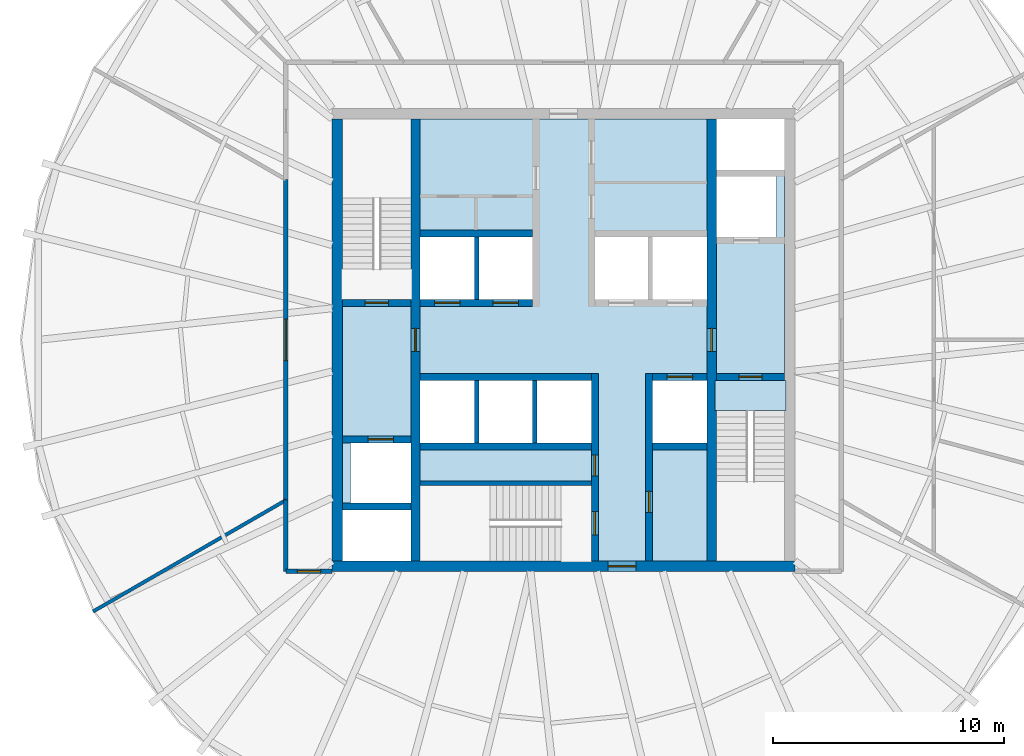
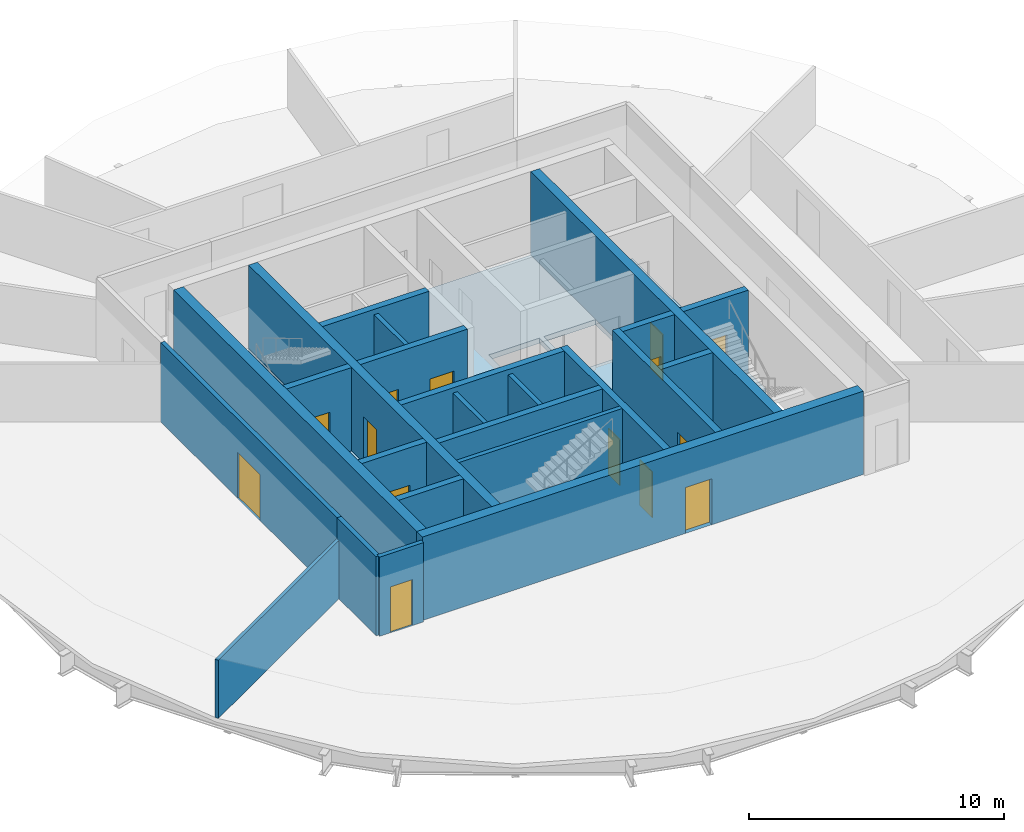
# One storey, part 3 of 6: 24 walls, 14 doors, 2 slabs, 14 openings.
"""IFC4 building model written with IfcOpenShell, lengths in metres."""

from ifc_helpers import new_model, si_unit, direction, frame, frame_2d, origin, place, context, subcontext, project, spatial, polyline, rectangle, outline, extrude, material, layer, layer_set, type_object, element, fill, save


model = new_model("IFC4")

# Units and contexts
model_context = context("Model", 3, precision=1e-05, world=origin(), true_north=direction((0.0, 1.0)))
body_context = subcontext(model_context, "Body", "Model", "MODEL_VIEW")
ifc_project = project(units=[si_unit("LENGTHUNIT", "METRE"), si_unit("AREAUNIT", "SQUARE_METRE"), si_unit("VOLUMEUNIT", "CUBIC_METRE"), si_unit("PLANEANGLEUNIT", "RADIAN"), si_unit("MASSUNIT", "GRAM", prefix="KILO")], contexts=[model_context])

# Site, building, storey
site_placement = place(None, origin())
site = spatial("IfcSite", under=ifc_project, at=site_placement, CompositionType="ELEMENT")
building_placement = place(site_placement, origin())
building = spatial("IfcBuilding", under=site, at=building_placement, Name="Golbaran Civic Tower", CompositionType="ELEMENT")
storey_placement = place(building_placement, frame((0.0, 0.0, 203.0)))
storey = spatial("IfcBuildingStorey", under=building, at=storey_placement, Name="L49", CompositionType="ELEMENT", Elevation=203.0)

# Slabs
ifc_material_1 = material(Name="Concrete C35/45", Category="concrete")
ifc_layer_1 = layer(ifc_material_1, 0.25, Name="Concrete C35/45")
ifc_layer_set_1 = layer_set([ifc_layer_1], Name="Concrete C35/45")
slab_type_1 = type_object("IfcSlabType", Name="CORE FLOOR SLAB 250", PredefinedType="FLOOR", material=ifc_layer_set_1)
slab_1_placement = place(storey_placement, frame((0.0, 0.0, -0.25)))
element("IfcSlab", 1, at=slab_1_placement, inside=storey, type_object=slab_type_1, Name="Core floor slab L49", PredefinedType="FLOOR", context=body_context, shape_type="SweptSolid", body=[
    extrude(outline(polyline([(6.60009765625, -1.75), (6.60009765625, -9.550048828125), (1.199951171875, -9.550048828125), (1.199951171875, -6.300048828125), (-6.199951171875, -6.300048828125), (-6.199951171875, -9.550048828125), (-6.60009765625, -9.550048828125), (-6.60009765625, -7.35009765625), (-9.550048828125, -7.35009765625), (-9.550048828125, 1.75), (-6.60009765625, 1.75), (-6.60009765625, 9.550048828125), (6.60009765625, 9.550048828125), (6.60009765625, 7.35009765625), (9.550048828125, 7.35009765625), (9.550048828125, -1.75), (6.60009765625, -1.75)]), holes=[polyline([(9.199951171875, 7.050048828125), (6.60009765625, 7.050048828125), (6.60009765625, 4.449951171875), (9.199951171875, 4.449951171875), (9.199951171875, 7.050048828125)]), polyline([(6.199951171875, -1.75), (3.85009765625, -1.75), (3.85009765625, -4.449951171875), (6.199951171875, -4.449951171875), (6.199951171875, -1.75)]), polyline([(6.199951171875, 4.449951171875), (3.85009765625, 4.449951171875), (3.85009765625, 1.75), (6.199951171875, 1.75), (6.199951171875, 4.449951171875)]), polyline([(3.64990234375, 4.449951171875), (1.35009765625, 4.449951171875), (1.35009765625, 1.75), (3.64990234375, 1.75), (3.64990234375, 4.449951171875)]), polyline([(1.199951171875, -1.75), (-1.14990234375, -1.75), (-1.14990234375, -4.449951171875), (1.199951171875, -4.449951171875), (1.199951171875, -1.75)]), polyline([(-1.35009765625, 4.449951171875), (-3.64990234375, 4.449951171875), (-3.64990234375, 1.75), (-1.35009765625, 1.75), (-1.35009765625, 4.449951171875)]), polyline([(-1.35009765625, -1.75), (-3.64990234375, -1.75), (-3.64990234375, -4.449951171875), (-1.35009765625, -4.449951171875), (-1.35009765625, -1.75)]), polyline([(-3.85009765625, -1.75), (-6.199951171875, -1.75), (-6.199951171875, -4.449951171875), (-3.85009765625, -4.449951171875), (-3.85009765625, -1.75)]), polyline([(-3.85009765625, 4.449951171875), (-6.199951171875, 4.449951171875), (-6.199951171875, 1.75), (-3.85009765625, 1.75), (-3.85009765625, 4.449951171875)]), polyline([(-6.60009765625, -4.449951171875), (-9.199951171875, -4.449951171875), (-9.199951171875, -7.050048828125), (-6.60009765625, -7.050048828125), (-6.60009765625, -4.449951171875)])]), origin(), (0.0, 0.0, 1.0), 0.25),
])
ifc_layer_2 = layer(ifc_material_1, 0.199951171875, Name="Concrete C35/45")
ifc_layer_set_2 = layer_set([ifc_layer_2], Name="Concrete C35/45")
slab_type_2 = type_object("IfcSlabType", Name="STAIR LANDING 200", PredefinedType="LANDING", material=ifc_layer_set_2)
slab_2_placement = place(storey_placement, frame((0.0, 0.0, -0.199951171875)))
element("IfcSlab", 2, at=slab_2_placement, inside=storey, type_object=slab_type_2, Name="Stair S2 floor landing L49", PredefinedType="LANDING", context=body_context, shape_type="SweptSolid", body=[
    extrude(outline(polyline([(9.60009765625, -1.75), (9.60009765625, -3.054931640625), (6.550048828125, -3.054931640625), (6.550048828125, -1.75), (9.60009765625, -1.75)])), origin(), (0.0, 0.0, 1.0), 0.199951171875),
])

# Wall, opening, door
ifc_material_2 = material(Name="Concrete C50/60", Category="concrete")
ifc_layer_3 = layer(ifc_material_2, 0.39990234375, Name="Concrete C50/60")
ifc_layer_set_3 = layer_set([ifc_layer_3], Name="Concrete C50/60")
wall_type_1 = type_object("IfcWallType", Name="CORE WALL CONCRETE 400", PredefinedType="SOLIDWALL", material=ifc_layer_set_3)
wall_1_placement = place(storey_placement, frame((-6.39990234375, -9.550048828125, 0.0), z_axis=(0.0, 0.0, 1.0), x_axis=(0.0, 1.0, 0.0)))
wall_1 = element("IfcWall", 3, at=wall_1_placement, inside=storey, type_object=wall_type_1, Name="Core wall IW L49", PredefinedType="SOLIDWALL", context=body_context, shape_type="SweptSolid", body=[
    extrude(rectangle(XDim=19.10009765625, YDim=0.39990234375, at=frame_2d((9.550048828125, 0.0))), origin(), (0.0, 0.0, 1.0), 4.0),
])
opening_1_placement = place(wall_1_placement, frame((9.050048828125, 0.0, 0.0)))
opening_1 = element("IfcOpeningElement", 4, at=opening_1_placement, cuts=wall_1, Name="Opening L49.FL1", PredefinedType="OPENING", context=body_context, shape_type="SweptSolid", body=[
    extrude(rectangle(XDim=1.0, YDim=2.199951171875, at=frame_2d((0.5, 1.10009765625))), frame((0.0, 0.2099609375, 0.0), z_axis=(0.0, -1.0, 0.0), x_axis=(1.0, 0.0, 0.0)), (0.0, 0.0, 1.0), 0.419921875),
])
ifc_material_3 = material(Name="Timber door set in steel frame", Category="steel")
door_type_1 = type_object("IfcDoorType", Name="STAIR DOOR 1000x2200", OperationType="SINGLE_SWING_LEFT", PredefinedType="DOOR", material=ifc_material_3)
door_1_placement = place(opening_1_placement, origin())
door_1 = element("IfcDoor", 5, at=door_1_placement, inside=storey, type_object=door_type_1, Name="Fire-fighting lobby FL1 door", OperationType="SINGLE_SWING_LEFT", OverallHeight=2.199951171875, OverallWidth=1.0, PredefinedType="DOOR", context=body_context, shape_type="SweptSolid", body=[
    extrude(rectangle(XDim=1.0, YDim=2.199951171875, at=frame_2d((0.5, 1.10009765625))), frame((0.0, 0.02490234375, 0.0), z_axis=(0.0, -1.0, 0.0), x_axis=(1.0, 0.0, 0.0)), (0.0, 0.0, 1.0), 0.050048828125),
])
fill(opening_1, door_1)

wall_2_placement = place(storey_placement, frame((6.39990234375, 9.550048828125, 0.0), z_axis=(0.0, 0.0, 1.0), x_axis=(0.0, -1.0, 0.0)))
wall_2 = element("IfcWall", 6, at=wall_2_placement, inside=storey, type_object=wall_type_1, Name="Core wall IE L49", PredefinedType="SOLIDWALL", context=body_context, shape_type="SweptSolid", body=[
    extrude(rectangle(XDim=19.10009765625, YDim=0.39990234375, at=frame_2d((9.550048828125, 0.0))), origin(), (0.0, 0.0, 1.0), 4.0),
])
opening_2_placement = place(wall_2_placement, frame((9.050048828125, 0.0, 0.0)))
opening_2 = element("IfcOpeningElement", 7, at=opening_2_placement, cuts=wall_2, Name="Opening L49.FL2", PredefinedType="OPENING", context=body_context, shape_type="SweptSolid", body=[
    extrude(rectangle(XDim=1.0, YDim=2.199951171875, at=frame_2d((0.5, 1.10009765625))), frame((0.0, 0.2099609375, 0.0), z_axis=(0.0, -1.0, 0.0), x_axis=(1.0, 0.0, 0.0)), (0.0, 0.0, 1.0), 0.419921875),
])
door_2_placement = place(opening_2_placement, origin())
door_2 = element("IfcDoor", 8, at=door_2_placement, inside=storey, type_object=door_type_1, Name="Fire-fighting lobby FL2 door", OperationType="SINGLE_SWING_RIGHT", OverallHeight=2.199951171875, OverallWidth=1.0, PredefinedType="DOOR", context=body_context, shape_type="SweptSolid", body=[
    extrude(rectangle(XDim=1.0, YDim=2.199951171875, at=frame_2d((0.5, 1.10009765625))), frame((0.0, 0.02490234375, 0.0), z_axis=(0.0, -1.0, 0.0), x_axis=(1.0, 0.0, 0.0)), (0.0, 0.0, 1.0), 0.050048828125),
])
fill(opening_2, door_2)

ifc_layer_4 = layer(ifc_material_2, 0.449951171875, Name="Concrete C50/60")
ifc_layer_set_4 = layer_set([ifc_layer_4], Name="Concrete C50/60")
wall_type_2 = type_object("IfcWallType", Name="CORE WALL CONCRETE 450", PredefinedType="SOLIDWALL", material=ifc_layer_set_4)
wall_3_placement = place(storey_placement, frame((10.0, -9.77490234375, 0.0), z_axis=(0.0, 0.0, 1.0), x_axis=(-1.0, 0.0, 0.0)))
wall_3 = element("IfcWall", 9, at=wall_3_placement, inside=storey, type_object=wall_type_2, Name="Core wall CS L49", PredefinedType="SOLIDWALL", context=body_context, shape_type="SweptSolid", body=[
    extrude(rectangle(XDim=20.0, YDim=0.449951171875, at=frame_2d((10.0, 0.0))), origin(), (0.0, 0.0, 1.0), 4.0),
])
opening_3_placement = place(wall_3_placement, frame((6.875, 0.0, 0.0)))
opening_3 = element("IfcOpeningElement", 10, at=opening_3_placement, cuts=wall_3, Name="Opening L49.CS", PredefinedType="OPENING", context=body_context, shape_type="SweptSolid", body=[
    extrude(rectangle(XDim=1.199951171875, YDim=2.199951171875, at=frame_2d((0.60009765625, 1.10009765625))), frame((0.0, 0.23486328125, 0.0), z_axis=(0.0, -1.0, 0.0), x_axis=(1.0, 0.0, 0.0)), (0.0, 0.0, 1.0), 0.469970703125),
])
door_type_2 = type_object("IfcDoorType", Name="CORE DOOR 1200x2200", OperationType="DOUBLE_DOOR_SINGLE_SWING", PredefinedType="DOOR", material=ifc_material_3)
door_3_placement = place(opening_3_placement, origin())
door_3 = element("IfcDoor", 11, at=door_3_placement, inside=storey, type_object=door_type_2, Name="Core door south", OperationType="DOUBLE_DOOR_SINGLE_SWING", OverallHeight=2.199951171875, OverallWidth=1.199951171875, PredefinedType="DOOR", context=body_context, shape_type="SweptSolid", body=[
    extrude(rectangle(XDim=1.199951171875, YDim=2.199951171875, at=frame_2d((0.60009765625, 1.10009765625))), frame((0.0, 0.02490234375, 0.0), z_axis=(0.0, -1.0, 0.0), x_axis=(1.0, 0.0, 0.0)), (0.0, 0.0, 1.0), 0.050048828125),
])
fill(opening_3, door_3)

# Wall
wall_4_placement = place(storey_placement, frame((-9.77490234375, 9.550048828125, 0.0), z_axis=(0.0, 0.0, 1.0), x_axis=(0.0, -1.0, 0.0)))
element("IfcWall", 12, at=wall_4_placement, inside=storey, type_object=wall_type_2, Name="Core wall CW L49", PredefinedType="SOLIDWALL", context=body_context, shape_type="SweptSolid", body=[
    extrude(rectangle(XDim=19.10009765625, YDim=0.449951171875, at=frame_2d((9.550048828125, 0.0))), origin(), (0.0, 0.0, 1.0), 4.0),
])

# Wall, opening, door
ifc_material_4 = material(Name="Gypsum board on steel studs, fire-rated", Category="steel")
ifc_layer_5 = layer(ifc_material_4, 0.199951171875, Name="Gypsum board on steel studs, fire-rated")
ifc_layer_set_5 = layer_set([ifc_layer_5], Name="Gypsum board on steel studs, fire-rated")
wall_type_3 = type_object("IfcWallType", Name="CORRIDOR WALL 200", PredefinedType="PARTITIONING", material=ifc_layer_set_5)
wall_5_placement = place(storey_placement, frame((-12.0, 6.92822265625, 0.0), z_axis=(0.0, 0.0, 1.0), x_axis=(0.0, -1.0, 0.0)))
wall_5 = element("IfcWall", 13, at=wall_5_placement, inside=storey, type_object=wall_type_3, Name="Corridor wall L49", PredefinedType="PARTITIONING", context=body_context, shape_type="SweptSolid", body=[
    extrude(rectangle(XDim=13.8564453125, YDim=0.199951171875, at=frame_2d((6.92822265625, 0.0))), origin(), (0.0, 0.0, 1.0), 3.800048828125),
])
opening_4_placement = place(wall_5_placement, frame((6.0283203125, 0.0, 0.0)))
opening_4 = element("IfcOpeningElement", 14, at=opening_4_placement, cuts=wall_5, Name="Opening L49.12", PredefinedType="OPENING", context=body_context, shape_type="SweptSolid", body=[
    extrude(rectangle(XDim=1.800048828125, YDim=2.199951171875, at=frame_2d((0.89990234375, 1.10009765625))), frame((0.0, 0.10986328125, 0.0), z_axis=(0.0, -1.0, 0.0), x_axis=(1.0, 0.0, 0.0)), (0.0, 0.0, 1.0), 0.219970703125),
])
door_type_3 = type_object("IfcDoorType", Name="OFFICE DOUBLE DOOR 1800x2200", OperationType="DOUBLE_DOOR_SINGLE_SWING", PredefinedType="DOOR", material=ifc_material_3)
door_4_placement = place(opening_4_placement, origin())
door_4 = element("IfcDoor", 15, at=door_4_placement, inside=storey, type_object=door_type_3, Name="GIS and Mapping Office door L49", OperationType="DOUBLE_DOOR_SINGLE_SWING", OverallHeight=2.199951171875, OverallWidth=1.800048828125, PredefinedType="DOOR", context=body_context, shape_type="SweptSolid", body=[
    extrude(rectangle(XDim=1.800048828125, YDim=2.199951171875, at=frame_2d((0.89990234375, 1.10009765625))), frame((0.0, 0.02490234375, 0.0), z_axis=(0.0, -1.0, 0.0), x_axis=(1.0, 0.0, 0.0)), (0.0, 0.0, 1.0), 0.050048828125),
])
fill(opening_4, door_4)

# Wall
wall_6_placement = place(storey_placement, frame((-12.0, -6.92822265625, 0.0), z_axis=(0.0, 0.0, 1.0), x_axis=(0.0, -1.0, 0.0)))
element("IfcWall", 16, at=wall_6_placement, inside=storey, type_object=wall_type_3, Name="Corridor wall L49", PredefinedType="PARTITIONING", context=body_context, shape_type="SweptSolid", body=[
    extrude(rectangle(XDim=3.07177734375, YDim=0.199951171875, at=frame_2d((1.535888671875, 0.0))), origin(), (0.0, 0.0, 1.0), 3.800048828125),
])

# Wall, opening, door
wall_7_placement = place(storey_placement, frame((-10.0, -10.0, 0.0), z_axis=(0.0, 0.0, 1.0), x_axis=(-1.0, 0.0, 0.0)))
wall_7 = element("IfcWall", 17, at=wall_7_placement, inside=storey, type_object=wall_type_3, Name="Corridor end wall L49", PredefinedType="PARTITIONING", context=body_context, shape_type="SweptSolid", body=[
    extrude(rectangle(XDim=2.0, YDim=0.199951171875, at=frame_2d((1.0, 0.0))), origin(), (0.0, 0.0, 1.0), 3.800048828125),
])
opening_5_placement = place(wall_7_placement, frame((0.5, 0.0, 0.0)))
opening_5 = element("IfcOpeningElement", 18, at=opening_5_placement, cuts=wall_7, Name="Opening L49.16", PredefinedType="OPENING", context=body_context, shape_type="SweptSolid", body=[
    extrude(rectangle(XDim=1.0, YDim=2.199951171875, at=frame_2d((0.5, 1.10009765625))), frame((0.0, 0.10986328125, 0.0), z_axis=(0.0, -1.0, 0.0), x_axis=(1.0, 0.0, 0.0)), (0.0, 0.0, 1.0), 0.219970703125),
])
door_type_4 = type_object("IfcDoorType", Name="OFFICE DOOR 1000x2200", OperationType="SINGLE_SWING_LEFT", PredefinedType="DOOR", material=ifc_material_3)
door_5_placement = place(opening_5_placement, origin())
door_5 = element("IfcDoor", 19, at=door_5_placement, inside=storey, type_object=door_type_4, Name="Open Office door L49", OperationType="SINGLE_SWING_RIGHT", OverallHeight=2.199951171875, OverallWidth=1.0, PredefinedType="DOOR", context=body_context, shape_type="SweptSolid", body=[
    extrude(rectangle(XDim=1.0, YDim=2.199951171875, at=frame_2d((0.5, 1.10009765625))), frame((0.0, 0.02490234375, 0.0), z_axis=(0.0, -1.0, 0.0), x_axis=(1.0, 0.0, 0.0)), (0.0, 0.0, 1.0), 0.050048828125),
])
fill(opening_5, door_5)

# Walls
ifc_material_5 = material(Name="Concrete block", Category="concrete")
ifc_layer_6 = layer(ifc_material_5, 0.199951171875, Name="Concrete block")
ifc_layer_set_6 = layer_set([ifc_layer_6], Name="Concrete block")
wall_type_4 = type_object("IfcWallType", Name="LIFT SEPARATOR WALL 200", PredefinedType="SOLIDWALL", material=ifc_layer_set_6)
for number, where, z_axis, x_axis, name in (
    (20, (-3.75, 1.75, 0.0), (0.0, 0.0, 1.0), (0.0, 1.0, 0.0), "Core partition SNW L49"),
    (21, (-3.75, -1.75, 0.0), (0.0, 0.0, 1.0), (0.0, -1.0, 0.0), "Core partition SSW L49"),
    (22, (-1.25, -1.75, 0.0), (0.0, 0.0, 1.0), (0.0, -1.0, 0.0), "Core partition SSM L49"),
):
    element("IfcWall", number, at=place(storey_placement, frame(where, z_axis=z_axis, x_axis=x_axis)), inside=storey, type_object=wall_type_4, Name=name, PredefinedType="SOLIDWALL", context=body_context, shape_type="SweptSolid", body=[
        extrude(rectangle(XDim=2.699951171875, YDim=0.199951171875, at=frame_2d((1.35009765625, 0.0))), origin(), (0.0, 0.0, 1.0), 3.75),
    ])
ifc_material_6 = material(Name="Gypsum board on steel studs", Category="steel")
ifc_layer_7 = layer(ifc_material_6, 0.14990234375, Name="Gypsum board on steel studs")
ifc_layer_set_7 = layer_set([ifc_layer_7], Name="Gypsum board on steel studs")
wall_type_5 = type_object("IfcWallType", Name="OFFICE PARTITION 150", PredefinedType="PARTITIONING", material=ifc_layer_set_7)
wall_8_placement = place(storey_placement, frame((-12.0, -6.92822265625, 0.0), z_axis=(0.0, 0.0, 1.0), x_axis=(-0.866030904871, -0.499990471717, 0.0)))
element("IfcWall", 23, at=wall_8_placement, inside=storey, type_object=wall_type_5, Name="Partition 210 L49", PredefinedType="PARTITIONING", context=body_context, shape_type="SweptSolid", body=[
    extrude(rectangle(XDim=9.619873046875, YDim=0.14990234375, at=frame_2d((4.81005859375, 0.0))), origin(), (0.0, 0.0, 1.0), 2.7900390625),
])
ifc_layer_8 = layer(ifc_material_2, 0.199951171875, Name="Concrete C50/60")
ifc_layer_set_8 = layer_set([ifc_layer_8], Name="Concrete C50/60")
wall_type_6 = type_object("IfcWallType", Name="SHAFT WALL CONCRETE 200", PredefinedType="SOLIDWALL", material=ifc_layer_set_8)
wall_9_placement = place(storey_placement, frame((-6.199951171875, -6.199951171875, 0.0), z_axis=(0.0, 0.0, 1.0), x_axis=(1.0, 0.0, 0.0)))
element("IfcWall", 24, at=wall_9_placement, inside=storey, type_object=wall_type_6, Name="Core wall S3N L49", PredefinedType="SOLIDWALL", context=body_context, shape_type="SweptSolid", body=[
    extrude(rectangle(XDim=7.39990234375, YDim=0.199951171875, at=frame_2d((3.699951171875, 0.0))), origin(), (0.0, 0.0, 1.0), 4.0),
])

# Wall, openings, doors
ifc_layer_9 = layer(ifc_material_2, 0.300048828125, Name="Concrete C50/60")
ifc_layer_set_9 = layer_set([ifc_layer_9], Name="Concrete C50/60")
wall_type_7 = type_object("IfcWallType", Name="SHAFT WALL CONCRETE 300", PredefinedType="SOLIDWALL", material=ifc_layer_set_9)
wall_10_placement = place(storey_placement, frame((-6.199951171875, 1.60009765625, 0.0), z_axis=(0.0, 0.0, 1.0), x_axis=(1.0, 0.0, 0.0)))
wall_10 = element("IfcWall", 25, at=wall_10_placement, inside=storey, type_object=wall_type_7, Name="Core wall FNW L49", PredefinedType="SOLIDWALL", context=body_context, shape_type="SweptSolid", body=[
    extrude(rectangle(XDim=4.849853515625, YDim=0.300048828125, at=frame_2d((2.4248046875, 0.0))), origin(), (0.0, 0.0, 1.0), 4.0),
])
opening_6_placement = place(wall_10_placement, frame((0.625, 0.0, 0.0)))
opening_6 = element("IfcOpeningElement", 26, at=opening_6_placement, cuts=wall_10, Name="Opening L49.LD-Z1H", PredefinedType="OPENING", context=body_context, shape_type="SweptSolid", body=[
    extrude(rectangle(XDim=1.10009765625, YDim=2.199951171875, at=frame_2d((0.550048828125, 1.10009765625))), frame((0.0, 0.159912109375, 0.0), z_axis=(0.0, -1.0, 0.0), x_axis=(1.0, 0.0, 0.0)), (0.0, 0.0, 1.0), 0.320068359375),
])
opening_7_placement = place(wall_10_placement, frame((3.14990234375, 0.0, 0.0)))
opening_7 = element("IfcOpeningElement", 27, at=opening_7_placement, cuts=wall_10, Name="Opening L49.LD-Z2H", PredefinedType="OPENING", context=body_context, shape_type="SweptSolid", body=[
    extrude(rectangle(XDim=1.10009765625, YDim=2.199951171875, at=frame_2d((0.550048828125, 1.10009765625))), frame((0.0, 0.159912109375, 0.0), z_axis=(0.0, -1.0, 0.0), x_axis=(1.0, 0.0, 0.0)), (0.0, 0.0, 1.0), 0.320068359375),
])
ifc_material_7 = material(Name="Stainless steel", Category="steel")
door_type_5 = type_object("IfcDoorType", Name="LIFT LANDING DOOR 1100x2200", OperationType="SLIDING_TO_LEFT", PredefinedType="DOOR", material=ifc_material_7)
door_6_placement = place(opening_6_placement, origin())
door_6 = element("IfcDoor", 28, at=door_6_placement, inside=storey, type_object=door_type_5, Name="Lift landing door Z1H", OperationType="SLIDING_TO_LEFT", OverallHeight=2.199951171875, OverallWidth=1.10009765625, PredefinedType="DOOR", context=body_context, shape_type="SweptSolid", body=[
    extrude(rectangle(XDim=1.10009765625, YDim=2.199951171875, at=frame_2d((0.550048828125, 1.10009765625))), frame((0.0, 0.02490234375, 0.0), z_axis=(0.0, -1.0, 0.0), x_axis=(1.0, 0.0, 0.0)), (0.0, 0.0, 1.0), 0.050048828125),
])
fill(opening_6, door_6)
door_7_placement = place(opening_7_placement, origin())
door_7 = element("IfcDoor", 29, at=door_7_placement, inside=storey, type_object=door_type_5, Name="Lift landing door Z2H", OperationType="SLIDING_TO_LEFT", OverallHeight=2.199951171875, OverallWidth=1.10009765625, PredefinedType="DOOR", context=body_context, shape_type="SweptSolid", body=[
    extrude(rectangle(XDim=1.10009765625, YDim=2.199951171875, at=frame_2d((0.550048828125, 1.10009765625))), frame((0.0, 0.02490234375, 0.0), z_axis=(0.0, -1.0, 0.0), x_axis=(1.0, 0.0, 0.0)), (0.0, 0.0, 1.0), 0.050048828125),
])
fill(opening_7, door_7)

# Walls
wall_11_placement = place(storey_placement, frame((-6.199951171875, 4.60009765625, 0.0), z_axis=(0.0, 0.0, 1.0), x_axis=(1.0, 0.0, 0.0)))
element("IfcWall", 30, at=wall_11_placement, inside=storey, type_object=wall_type_7, Name="Core wall BNW L49", PredefinedType="SOLIDWALL", context=body_context, shape_type="SweptSolid", body=[
    extrude(rectangle(XDim=4.849853515625, YDim=0.300048828125, at=frame_2d((2.4248046875, 0.0))), origin(), (0.0, 0.0, 1.0), 4.0),
])
wall_12_placement = place(storey_placement, frame((-6.199951171875, -1.60009765625, 0.0), z_axis=(0.0, 0.0, 1.0), x_axis=(1.0, 0.0, 0.0)))
element("IfcWall", 31, at=wall_12_placement, inside=storey, type_object=wall_type_7, Name="Core wall FSW L49", PredefinedType="SOLIDWALL", context=body_context, shape_type="SweptSolid", body=[
    extrude(rectangle(XDim=7.39990234375, YDim=0.300048828125, at=frame_2d((3.699951171875, 0.0))), origin(), (0.0, 0.0, 1.0), 4.0),
])

# Wall, opening, door
wall_13_placement = place(storey_placement, frame((3.85009765625, -1.60009765625, 0.0), z_axis=(0.0, 0.0, 1.0), x_axis=(1.0, 0.0, 0.0)))
wall_13 = element("IfcWall", 32, at=wall_13_placement, inside=storey, type_object=wall_type_7, Name="Core wall FSE L49", PredefinedType="SOLIDWALL", context=body_context, shape_type="SweptSolid", body=[
    extrude(rectangle(XDim=2.349853515625, YDim=0.300048828125, at=frame_2d((1.1748046875, 0.0))), origin(), (0.0, 0.0, 1.0), 4.0),
])
opening_8_placement = place(wall_13_placement, frame((0.625, 0.0, 0.0)))
opening_8 = element("IfcOpeningElement", 33, at=opening_8_placement, cuts=wall_13, Name="Opening L49.LD-V1", PredefinedType="OPENING", context=body_context, shape_type="SweptSolid", body=[
    extrude(rectangle(XDim=1.10009765625, YDim=2.199951171875, at=frame_2d((0.550048828125, 1.10009765625))), frame((0.0, 0.159912109375, 0.0), z_axis=(0.0, -1.0, 0.0), x_axis=(1.0, 0.0, 0.0)), (0.0, 0.0, 1.0), 0.320068359375),
])
door_8_placement = place(opening_8_placement, origin())
door_8 = element("IfcDoor", 34, at=door_8_placement, inside=storey, type_object=door_type_5, Name="Lift landing door V1", OperationType="SLIDING_TO_LEFT", OverallHeight=2.199951171875, OverallWidth=1.10009765625, PredefinedType="DOOR", context=body_context, shape_type="SweptSolid", body=[
    extrude(rectangle(XDim=1.10009765625, YDim=2.199951171875, at=frame_2d((0.550048828125, 1.10009765625))), frame((0.0, 0.02490234375, 0.0), z_axis=(0.0, -1.0, 0.0), x_axis=(1.0, 0.0, 0.0)), (0.0, 0.0, 1.0), 0.050048828125),
])
fill(opening_8, door_8)

# Walls
wall_14_placement = place(storey_placement, frame((-6.199951171875, -4.60009765625, 0.0), z_axis=(0.0, 0.0, 1.0), x_axis=(1.0, 0.0, 0.0)))
element("IfcWall", 35, at=wall_14_placement, inside=storey, type_object=wall_type_7, Name="Core wall BSW L49", PredefinedType="SOLIDWALL", context=body_context, shape_type="SweptSolid", body=[
    extrude(rectangle(XDim=7.39990234375, YDim=0.300048828125, at=frame_2d((3.699951171875, 0.0))), origin(), (0.0, 0.0, 1.0), 4.0),
])
wall_15_placement = place(storey_placement, frame((3.85009765625, -4.60009765625, 0.0), z_axis=(0.0, 0.0, 1.0), x_axis=(1.0, 0.0, 0.0)))
element("IfcWall", 36, at=wall_15_placement, inside=storey, type_object=wall_type_7, Name="Core wall BSE L49", PredefinedType="SOLIDWALL", context=body_context, shape_type="SweptSolid", body=[
    extrude(rectangle(XDim=2.349853515625, YDim=0.300048828125, at=frame_2d((1.1748046875, 0.0))), origin(), (0.0, 0.0, 1.0), 4.0),
])

# Wall, openings, doors
wall_16_placement = place(storey_placement, frame((1.35009765625, -1.449951171875, 0.0), z_axis=(0.0, 0.0, 1.0), x_axis=(0.0, -1.0, 0.0)))
wall_16 = element("IfcWall", 37, at=wall_16_placement, inside=storey, type_object=wall_type_7, Name="Core wall PSW L49", PredefinedType="SOLIDWALL", context=body_context, shape_type="SweptSolid", body=[
    extrude(rectangle(XDim=8.10009765625, YDim=0.300048828125, at=frame_2d((4.050048828125, 0.0))), origin(), (0.0, 0.0, 1.0), 4.0),
])
opening_9_placement = place(wall_16_placement, frame((5.97509765625, 0.0, 0.0)))
opening_9 = element("IfcOpeningElement", 38, at=opening_9_placement, cuts=wall_16, Name="Opening L49.S3", PredefinedType="OPENING", context=body_context, shape_type="SweptSolid", body=[
    extrude(rectangle(XDim=1.0, YDim=2.199951171875, at=frame_2d((0.5, 1.10009765625))), frame((0.0, 0.159912109375, 0.0), z_axis=(0.0, -1.0, 0.0), x_axis=(1.0, 0.0, 0.0)), (0.0, 0.0, 1.0), 0.320068359375),
])
opening_10_placement = place(wall_16_placement, frame((3.52490234375, 0.0, 0.0)))
opening_10 = element("IfcOpeningElement", 39, at=opening_10_placement, cuts=wall_16, Name="Opening L49.RE", PredefinedType="OPENING", context=body_context, shape_type="SweptSolid", body=[
    extrude(rectangle(XDim=0.89990234375, YDim=2.199951171875, at=frame_2d((0.449951171875, 1.10009765625))), frame((0.0, 0.159912109375, 0.0), z_axis=(0.0, -1.0, 0.0), x_axis=(1.0, 0.0, 0.0)), (0.0, 0.0, 1.0), 0.320068359375),
])
door_type_6 = type_object("IfcDoorType", Name="RISER DOOR 900x2200", OperationType="SINGLE_SWING_LEFT", PredefinedType="DOOR", material=ifc_material_3)
door_9_placement = place(opening_10_placement, origin())
door_9 = element("IfcDoor", 40, at=door_9_placement, inside=storey, type_object=door_type_6, Name="Electrical riser door", OperationType="SINGLE_SWING_LEFT", OverallHeight=2.199951171875, OverallWidth=0.89990234375, PredefinedType="DOOR", context=body_context, shape_type="SweptSolid", body=[
    extrude(rectangle(XDim=0.89990234375, YDim=2.199951171875, at=frame_2d((0.449951171875, 1.10009765625))), frame((0.0, 0.02490234375, 0.0), z_axis=(0.0, -1.0, 0.0), x_axis=(1.0, 0.0, 0.0)), (0.0, 0.0, 1.0), 0.050048828125),
])
fill(opening_10, door_9)
door_10_placement = place(opening_9_placement, origin())
door_10 = element("IfcDoor", 41, at=door_10_placement, inside=storey, type_object=door_type_1, Name="Stair S3 door", OperationType="SINGLE_SWING_RIGHT", OverallHeight=2.199951171875, OverallWidth=1.0, PredefinedType="DOOR", context=body_context, shape_type="SweptSolid", body=[
    extrude(rectangle(XDim=1.0, YDim=2.199951171875, at=frame_2d((0.5, 1.10009765625))), frame((0.0, 0.02490234375, 0.0), z_axis=(0.0, -1.0, 0.0), x_axis=(1.0, 0.0, 0.0)), (0.0, 0.0, 1.0), 0.050048828125),
])
fill(opening_9, door_10)

# Wall, opening, door
wall_17_placement = place(storey_placement, frame((3.699951171875, -1.449951171875, 0.0), z_axis=(0.0, 0.0, 1.0), x_axis=(0.0, -1.0, 0.0)))
wall_17 = element("IfcWall", 42, at=wall_17_placement, inside=storey, type_object=wall_type_7, Name="Core wall PSE L49", PredefinedType="SOLIDWALL", context=body_context, shape_type="SweptSolid", body=[
    extrude(rectangle(XDim=8.10009765625, YDim=0.300048828125, at=frame_2d((4.050048828125, 0.0))), origin(), (0.0, 0.0, 1.0), 4.0),
])
opening_11_placement = place(wall_17_placement, frame((5.10009765625, 0.0, 0.0)))
opening_11 = element("IfcOpeningElement", 43, at=opening_11_placement, cuts=wall_17, Name="Opening L49.RM", PredefinedType="OPENING", context=body_context, shape_type="SweptSolid", body=[
    extrude(rectangle(XDim=0.89990234375, YDim=2.199951171875, at=frame_2d((0.449951171875, 1.10009765625))), frame((0.0, 0.159912109375, 0.0), z_axis=(0.0, -1.0, 0.0), x_axis=(1.0, 0.0, 0.0)), (0.0, 0.0, 1.0), 0.320068359375),
])
door_11_placement = place(opening_11_placement, origin())
door_11 = element("IfcDoor", 44, at=door_11_placement, inside=storey, type_object=door_type_6, Name="Mechanical riser door", OperationType="SINGLE_SWING_RIGHT", OverallHeight=2.199951171875, OverallWidth=0.89990234375, PredefinedType="DOOR", context=body_context, shape_type="SweptSolid", body=[
    extrude(rectangle(XDim=0.89990234375, YDim=2.199951171875, at=frame_2d((0.449951171875, 1.10009765625))), frame((0.0, 0.02490234375, 0.0), z_axis=(0.0, -1.0, 0.0), x_axis=(1.0, 0.0, 0.0)), (0.0, 0.0, 1.0), 0.050048828125),
])
fill(opening_11, door_11)

wall_18_placement = place(storey_placement, frame((-9.550048828125, 1.60009765625, 0.0), z_axis=(0.0, 0.0, 1.0), x_axis=(1.0, 0.0, 0.0)))
wall_18 = element("IfcWall", 45, at=wall_18_placement, inside=storey, type_object=wall_type_7, Name="Core wall XW1 L49", PredefinedType="SOLIDWALL", context=body_context, shape_type="SweptSolid", body=[
    extrude(rectangle(XDim=2.949951171875, YDim=0.300048828125, at=frame_2d((1.47509765625, 0.0))), origin(), (0.0, 0.0, 1.0), 4.0),
])
opening_12_placement = place(wall_18_placement, frame((0.97509765625, 0.0, 0.0)))
opening_12 = element("IfcOpeningElement", 46, at=opening_12_placement, cuts=wall_18, Name="Opening L49.S1", PredefinedType="OPENING", context=body_context, shape_type="SweptSolid", body=[
    extrude(rectangle(XDim=1.0, YDim=2.199951171875, at=frame_2d((0.5, 1.10009765625))), frame((0.0, 0.159912109375, 0.0), z_axis=(0.0, -1.0, 0.0), x_axis=(1.0, 0.0, 0.0)), (0.0, 0.0, 1.0), 0.320068359375),
])
door_12_placement = place(opening_12_placement, origin())
door_12 = element("IfcDoor", 47, at=door_12_placement, inside=storey, type_object=door_type_1, Name="Stair S1 door", OperationType="SINGLE_SWING_LEFT", OverallHeight=2.199951171875, OverallWidth=1.0, PredefinedType="DOOR", context=body_context, shape_type="SweptSolid", body=[
    extrude(rectangle(XDim=1.0, YDim=2.199951171875, at=frame_2d((0.5, 1.10009765625))), frame((0.0, 0.02490234375, 0.0), z_axis=(0.0, -1.0, 0.0), x_axis=(1.0, 0.0, 0.0)), (0.0, 0.0, 1.0), 0.050048828125),
])
fill(opening_12, door_12)

wall_19_placement = place(storey_placement, frame((6.60009765625, -1.60009765625, 0.0), z_axis=(0.0, 0.0, 1.0), x_axis=(1.0, 0.0, 0.0)))
wall_19 = element("IfcWall", 48, at=wall_19_placement, inside=storey, type_object=wall_type_7, Name="Core wall XE1 L49", PredefinedType="SOLIDWALL", context=body_context, shape_type="SweptSolid", body=[
    extrude(rectangle(XDim=2.949951171875, YDim=0.300048828125, at=frame_2d((1.47509765625, 0.0))), origin(), (0.0, 0.0, 1.0), 4.0),
])
opening_13_placement = place(wall_19_placement, frame((0.97509765625, 0.0, 0.0)))
opening_13 = element("IfcOpeningElement", 49, at=opening_13_placement, cuts=wall_19, Name="Opening L49.S2", PredefinedType="OPENING", context=body_context, shape_type="SweptSolid", body=[
    extrude(rectangle(XDim=1.0, YDim=2.199951171875, at=frame_2d((0.5, 1.10009765625))), frame((0.0, 0.159912109375, 0.0), z_axis=(0.0, -1.0, 0.0), x_axis=(1.0, 0.0, 0.0)), (0.0, 0.0, 1.0), 0.320068359375),
])
door_13_placement = place(opening_13_placement, origin())
door_13 = element("IfcDoor", 50, at=door_13_placement, inside=storey, type_object=door_type_1, Name="Stair S2 door", OperationType="SINGLE_SWING_LEFT", OverallHeight=2.199951171875, OverallWidth=1.0, PredefinedType="DOOR", context=body_context, shape_type="SweptSolid", body=[
    extrude(rectangle(XDim=1.0, YDim=2.199951171875, at=frame_2d((0.5, 1.10009765625))), frame((0.0, 0.02490234375, 0.0), z_axis=(0.0, -1.0, 0.0), x_axis=(1.0, 0.0, 0.0)), (0.0, 0.0, 1.0), 0.050048828125),
])
fill(opening_13, door_13)

wall_20_placement = place(storey_placement, frame((-9.550048828125, -4.300048828125, 0.0), z_axis=(0.0, 0.0, 1.0), x_axis=(1.0, 0.0, 0.0)))
wall_20 = element("IfcWall", 51, at=wall_20_placement, inside=storey, type_object=wall_type_7, Name="Core wall XW2 L49", PredefinedType="SOLIDWALL", context=body_context, shape_type="SweptSolid", body=[
    extrude(rectangle(XDim=2.949951171875, YDim=0.300048828125, at=frame_2d((1.47509765625, 0.0))), origin(), (0.0, 0.0, 1.0), 4.0),
])
opening_14_placement = place(wall_20_placement, frame((1.10009765625, 0.0, 0.0)))
opening_14 = element("IfcOpeningElement", 52, at=opening_14_placement, cuts=wall_20, Name="Opening L49.LD-F1", PredefinedType="OPENING", context=body_context, shape_type="SweptSolid", body=[
    extrude(rectangle(XDim=1.10009765625, YDim=2.199951171875, at=frame_2d((0.550048828125, 1.10009765625))), frame((0.0, 0.159912109375, 0.0), z_axis=(0.0, -1.0, 0.0), x_axis=(1.0, 0.0, 0.0)), (0.0, 0.0, 1.0), 0.320068359375),
])
door_14_placement = place(opening_14_placement, origin())
door_14 = element("IfcDoor", 53, at=door_14_placement, inside=storey, type_object=door_type_5, Name="Lift landing door F1", OperationType="SLIDING_TO_LEFT", OverallHeight=2.199951171875, OverallWidth=1.10009765625, PredefinedType="DOOR", context=body_context, shape_type="SweptSolid", body=[
    extrude(rectangle(XDim=1.10009765625, YDim=2.199951171875, at=frame_2d((0.550048828125, 1.10009765625))), frame((0.0, 0.02490234375, 0.0), z_axis=(0.0, -1.0, 0.0), x_axis=(1.0, 0.0, 0.0)), (0.0, 0.0, 1.0), 0.050048828125),
])
fill(opening_14, door_14)

# Wall
wall_21_placement = place(storey_placement, frame((-9.550048828125, -7.199951171875, 0.0), z_axis=(0.0, 0.0, 1.0), x_axis=(1.0, 0.0, 0.0)))
element("IfcWall", 54, at=wall_21_placement, inside=storey, type_object=wall_type_7, Name="Core wall XW3 L49", PredefinedType="SOLIDWALL", context=body_context, shape_type="SweptSolid", body=[
    extrude(rectangle(XDim=2.949951171875, YDim=0.300048828125, at=frame_2d((1.47509765625, 0.0))), origin(), (0.0, 0.0, 1.0), 4.0),
])

save(model, "model.ifc")
